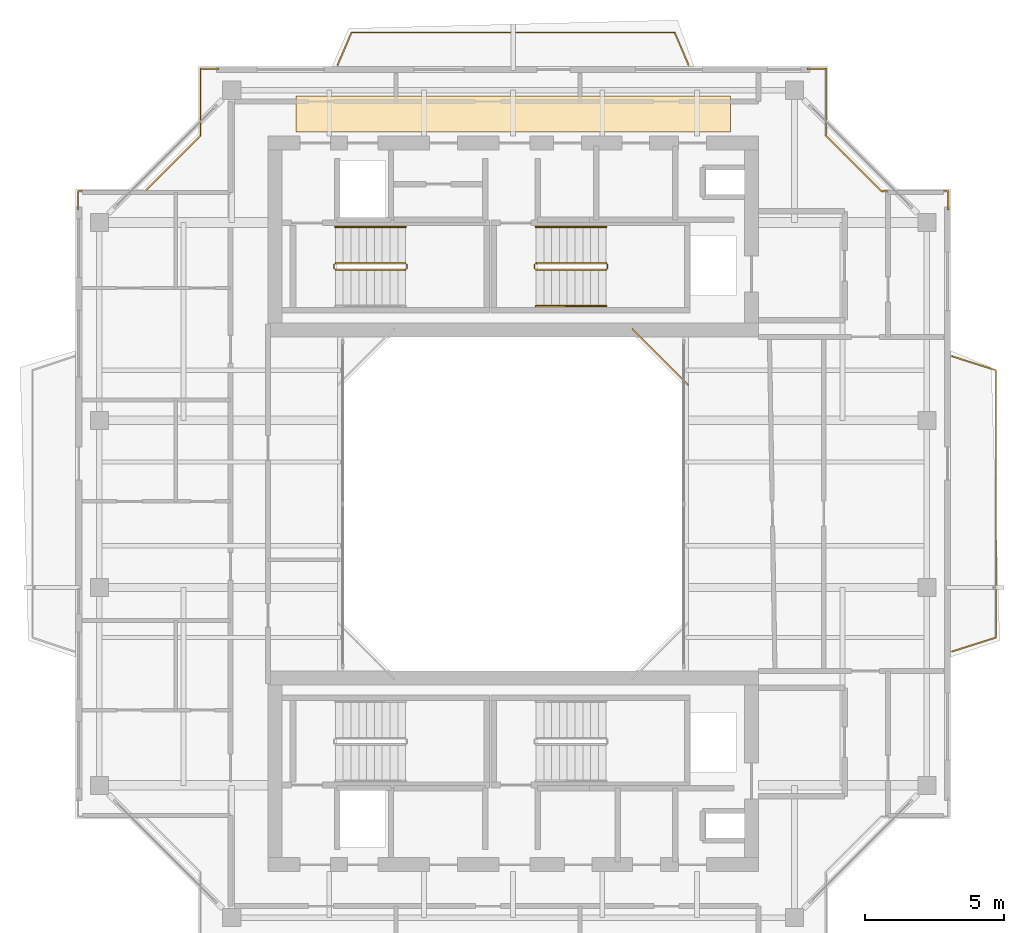
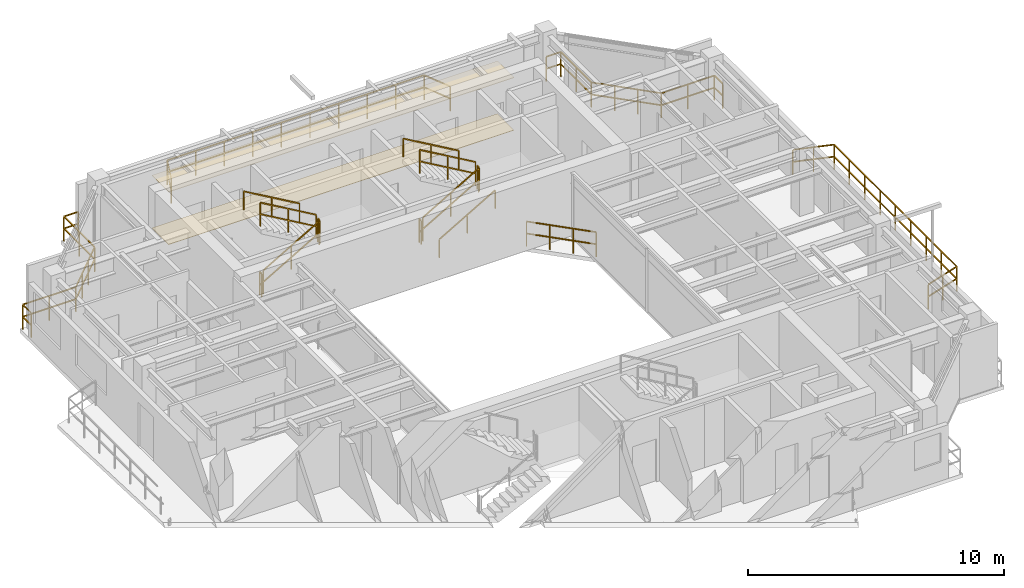
# One storey, part 14 of 14: 16 railings, 2 coverings.
"""IFC4 building model written with IfcOpenShell, lengths in metres."""

from ifc_helpers import new_model, si_unit, direction, frame, origin, origin_2d, place, context, subcontext, project, spatial, polyline, rectangle, outline, extrude, material, layer, layer_set, type_object, element, save


model = new_model("IFC4")

# Units and contexts
model_context = context("Model", 3, precision=1e-05, world=origin(), true_north=direction((0.0, 1.0)))
body_context = subcontext(model_context, "Body", "Model", "MODEL_VIEW")
ifc_project = project(units=[si_unit("LENGTHUNIT", "METRE"), si_unit("AREAUNIT", "SQUARE_METRE"), si_unit("VOLUMEUNIT", "CUBIC_METRE"), si_unit("PLANEANGLEUNIT", "RADIAN"), si_unit("MASSUNIT", "GRAM", prefix="KILO"), si_unit("THERMODYNAMICTEMPERATUREUNIT", "KELVIN"), si_unit("POWERUNIT", "WATT")], contexts=[model_context])

# Site, building, storey
site_placement = place(None, origin())
site = spatial("IfcSite", under=ifc_project, at=site_placement, CompositionType="ELEMENT")
building_placement = place(site_placement, origin())
building = spatial("IfcBuilding", under=site, at=building_placement, Name="Qiaomeng Ring Towers", CompositionType="ELEMENT")
storey_placement = place(building_placement, frame((0.0, 0.0, 260.0)))
storey = spatial("IfcBuildingStorey", under=building, at=storey_placement, Name="L76", CompositionType="ELEMENT", Elevation=260.0)

# Coverings
ifc_material_1 = material(Name="Mineral fibre acoustic ceiling tile", Category="gypsum")
ifc_layer_1 = layer(ifc_material_1, 0.02490234375, Name="Mineral fibre acoustic ceiling tile")
ifc_layer_set_1 = layer_set([ifc_layer_1], Name="Mineral fibre acoustic ceiling tile")
covering_type_1 = type_object("IfcCoveringType", Name="ARC-COV-CEIL1", PredefinedType="CEILING", material=ifc_layer_set_1)
covering_1_placement = place(storey_placement, frame((0.0, 0.0, 2.510009765625)))
element("IfcCovering", 1, at=covering_1_placement, inside=storey, type_object=covering_type_1, Name="L76 Corridor Acoustic Ceiling", PredefinedType="CEILING", context=body_context, shape_type="SweptSolid", body=[
    extrude(outline(polyline([(11.199951171875, 36.35009765625), (11.199951171875, 37.64990234375), (26.800048828125, 37.64990234375), (26.800048828125, 36.35009765625), (11.199951171875, 36.35009765625)])), origin(), (0.0, 0.0, 1.0), 0.02490234375),
])
ifc_material_2 = material(Name="Vitrified porcelain floor tile", Category="ceramic")
ifc_layer_2 = layer(ifc_material_2, 0.02001953125, Name="Vitrified porcelain floor tile")
ifc_layer_set_2 = layer_set([ifc_layer_2], Name="Vitrified porcelain floor tile")
covering_type_2 = type_object("IfcCoveringType", Name="ARC-COV-FLR1", PredefinedType="FLOORING", material=ifc_layer_set_2)
covering_2_placement = place(storey_placement, origin())
element("IfcCovering", 2, at=covering_2_placement, inside=storey, type_object=covering_type_2, Name="L76 Corridor Stone Flooring", PredefinedType="FLOORING", context=body_context, shape_type="SweptSolid", body=[
    extrude(outline(polyline([(11.199951171875, 36.35009765625), (11.199951171875, 37.64990234375), (26.800048828125, 37.64990234375), (26.800048828125, 36.35009765625), (11.199951171875, 36.35009765625)])), origin(), (0.0, 0.0, 1.0), 0.02001953125),
])

# Railings
ifc_material_3 = material(Name="Low-E pale-green laminated safety glass", Category="glass")
railing_type_1 = type_object("IfcRailingType", Name="ARC-RL-BAL1", PredefinedType="BALUSTRADE", material=ifc_material_3)
railing_1_placement = place(storey_placement, frame((25.280029296875, 27.280029296875, 0.0)))
element("IfcRailing", 3, at=railing_1_placement, inside=storey, type_object=railing_type_1, Name="L76 Balustrade ARC-BAL-WELL1-L76-2", PredefinedType="BALUSTRADE", context=body_context, shape_type="SweptSolid", body=[
    extrude(rectangle(XDim=0.048095703125, YDim=0.048095703125, at=origin_2d()), frame((0.0, 0.0, 1.17578125), z_axis=(-0.707106781187, 0.707106781187, 0.0), x_axis=(-0.707106781187, -0.707106781187, 0.0)), (0.0, 0.0, 1.0), 2.828369140625),
    extrude(rectangle(XDim=0.048095703125, YDim=0.048095703125, at=origin_2d()), frame((0.0, 0.0, 0.60009765625), z_axis=(-0.707106781187, 0.707106781187, 0.0), x_axis=(-0.707106781187, -0.707106781187, 0.0)), (0.0, 0.0, 1.0), 2.828369140625),
    extrude(rectangle(XDim=0.0419921875, YDim=0.0419921875, at=origin_2d()), origin(), (0.0, 0.0, 1.0), 1.15185546875),
    extrude(rectangle(XDim=0.0419921875, YDim=0.0419921875, at=origin_2d()), frame((-0.666748046875, 0.666748046875, 0.0)), (0.0, 0.0, 1.0), 1.15185546875),
    extrude(rectangle(XDim=0.0419921875, YDim=0.0419921875, at=origin_2d()), frame((-1.333251953125, 1.333251953125, 0.0)), (0.0, 0.0, 1.0), 1.15185546875),
    extrude(rectangle(XDim=0.0419921875, YDim=0.0419921875, at=origin_2d()), frame((-2.0, 2.0, 0.0)), (0.0, 0.0, 1.0), 1.15185546875),
])
railing_2_placement = place(storey_placement, frame((34.6201171875, 33.570068359375, 0.0)))
element("IfcRailing", 4, at=railing_2_placement, inside=storey, type_object=railing_type_1, Name="L76 Balustrade ARC-BAL-NOTCH1-L76-NE", PredefinedType="BALUSTRADE", context=body_context, shape_type="SweptSolid", body=[
    extrude(rectangle(XDim=0.048095703125, YDim=0.048095703125, at=origin_2d()), frame((0.0, 0.0, 1.17578125), z_axis=(0.0, 1.0, 0.0), x_axis=(-1.0, 0.0, 0.0)), (0.0, 0.0, 1.0), 0.64990234375),
    extrude(rectangle(XDim=0.048095703125, YDim=0.048095703125, at=origin_2d()), frame((0.0, 0.0, 0.60009765625), z_axis=(0.0, 1.0, 0.0), x_axis=(-1.0, 0.0, 0.0)), (0.0, 0.0, 1.0), 0.64990234375),
    extrude(rectangle(XDim=0.048095703125, YDim=0.048095703125, at=origin_2d()), frame((0.0, 0.64990234375, 1.17578125), z_axis=(-1.0, 0.0, 0.0), x_axis=(0.0, -1.0, 0.0)), (0.0, 0.0, 1.0), 2.400146484375),
    extrude(rectangle(XDim=0.048095703125, YDim=0.048095703125, at=origin_2d()), frame((0.0, 0.64990234375, 0.60009765625), z_axis=(-1.0, 0.0, 0.0), x_axis=(0.0, -1.0, 0.0)), (0.0, 0.0, 1.0), 2.400146484375),
    extrude(rectangle(XDim=0.048095703125, YDim=0.048095703125, at=origin_2d()), frame((-2.400146484375, 0.64990234375, 1.17578125), z_axis=(-0.707106781187, 0.707106781187, 0.0), x_axis=(-0.707106781187, -0.707106781187, 0.0)), (0.0, 0.0, 1.0), 2.828369140625),
    extrude(rectangle(XDim=0.048095703125, YDim=0.048095703125, at=origin_2d()), frame((-2.400146484375, 0.64990234375, 0.60009765625), z_axis=(-0.707106781187, 0.707106781187, 0.0), x_axis=(-0.707106781187, -0.707106781187, 0.0)), (0.0, 0.0, 1.0), 2.828369140625),
    extrude(rectangle(XDim=0.048095703125, YDim=0.048095703125, at=origin_2d()), frame((-4.400146484375, 2.64990234375, 1.17578125), z_axis=(0.0, 1.0, 0.0), x_axis=(-1.0, 0.0, 0.0)), (0.0, 0.0, 1.0), 2.400146484375),
    extrude(rectangle(XDim=0.048095703125, YDim=0.048095703125, at=origin_2d()), frame((-4.400146484375, 2.64990234375, 0.60009765625), z_axis=(0.0, 1.0, 0.0), x_axis=(-1.0, 0.0, 0.0)), (0.0, 0.0, 1.0), 2.400146484375),
    extrude(rectangle(XDim=0.048095703125, YDim=0.048095703125, at=origin_2d()), frame((-4.400146484375, 5.050048828125, 1.17578125), z_axis=(-1.0, 0.0, 0.0), x_axis=(0.0, -1.0, 0.0)), (0.0, 0.0, 1.0), 0.64990234375),
    extrude(rectangle(XDim=0.048095703125, YDim=0.048095703125, at=origin_2d()), frame((-4.400146484375, 5.050048828125, 0.60009765625), z_axis=(-1.0, 0.0, 0.0), x_axis=(0.0, -1.0, 0.0)), (0.0, 0.0, 1.0), 0.64990234375),
    extrude(rectangle(XDim=0.0419921875, YDim=0.0419921875, at=origin_2d()), origin(), (0.0, 0.0, 1.0), 1.15185546875),
    extrude(rectangle(XDim=0.0419921875, YDim=0.0419921875, at=origin_2d()), frame((0.0, 0.64990234375, 0.0)), (0.0, 0.0, 1.0), 1.15185546875),
    extrude(rectangle(XDim=0.0419921875, YDim=0.0419921875, at=origin_2d()), frame((-1.2001953125, 0.64990234375, 0.0)), (0.0, 0.0, 1.0), 1.15185546875),
    extrude(rectangle(XDim=0.0419921875, YDim=0.0419921875, at=origin_2d()), frame((-2.400146484375, 0.64990234375, 0.0)), (0.0, 0.0, 1.0), 1.15185546875),
    extrude(rectangle(XDim=0.0419921875, YDim=0.0419921875, at=origin_2d()), frame((-3.06689453125, 1.316650390625, 0.0)), (0.0, 0.0, 1.0), 1.15185546875),
    extrude(rectangle(XDim=0.0419921875, YDim=0.0419921875, at=origin_2d()), frame((-3.7333984375, 1.983154296875, 0.0)), (0.0, 0.0, 1.0), 1.15185546875),
    extrude(rectangle(XDim=0.0419921875, YDim=0.0419921875, at=origin_2d()), frame((-4.400146484375, 2.64990234375, 0.0)), (0.0, 0.0, 1.0), 1.15185546875),
    extrude(rectangle(XDim=0.0419921875, YDim=0.0419921875, at=origin_2d()), frame((-4.400146484375, 3.85009765625, 0.0)), (0.0, 0.0, 1.0), 1.15185546875),
    extrude(rectangle(XDim=0.0419921875, YDim=0.0419921875, at=origin_2d()), frame((-4.400146484375, 5.050048828125, 0.0)), (0.0, 0.0, 1.0), 1.15185546875),
    extrude(rectangle(XDim=0.0419921875, YDim=0.0419921875, at=origin_2d()), frame((-5.050048828125, 5.050048828125, 0.0)), (0.0, 0.0, 1.0), 1.15185546875),
])
railing_3_placement = place(storey_placement, frame((8.429931640625, 38.6201171875, 0.0)))
element("IfcRailing", 5, at=railing_3_placement, inside=storey, type_object=railing_type_1, Name="L76 Balustrade ARC-BAL-NOTCH1-L76-NW", PredefinedType="BALUSTRADE", context=body_context, shape_type="SweptSolid", body=[
    extrude(rectangle(XDim=0.048095703125, YDim=0.048095703125, at=origin_2d()), frame((0.0, 0.0, 1.17578125), z_axis=(-1.0, 0.0, 0.0), x_axis=(0.0, -1.0, 0.0)), (0.0, 0.0, 1.0), 0.64990234375),
    extrude(rectangle(XDim=0.048095703125, YDim=0.048095703125, at=origin_2d()), frame((0.0, 0.0, 0.60009765625), z_axis=(-1.0, 0.0, 0.0), x_axis=(0.0, -1.0, 0.0)), (0.0, 0.0, 1.0), 0.64990234375),
    extrude(rectangle(XDim=0.048095703125, YDim=0.048095703125, at=origin_2d()), frame((-0.64990234375, 0.0, 1.17578125), z_axis=(0.0, -1.0, 0.0), x_axis=(1.0, 0.0, 0.0)), (0.0, 0.0, 1.0), 2.400146484375),
    extrude(rectangle(XDim=0.048095703125, YDim=0.048095703125, at=origin_2d()), frame((-0.64990234375, 0.0, 0.60009765625), z_axis=(0.0, -1.0, 0.0), x_axis=(1.0, 0.0, 0.0)), (0.0, 0.0, 1.0), 2.400146484375),
    extrude(rectangle(XDim=0.048095703125, YDim=0.048095703125, at=origin_2d()), frame((-0.64990234375, -2.400146484375, 1.17578125), z_axis=(-0.707106781187, -0.707106781187, 0.0), x_axis=(0.707106781187, -0.707106781187, 0.0)), (0.0, 0.0, 1.0), 2.828369140625),
    extrude(rectangle(XDim=0.048095703125, YDim=0.048095703125, at=origin_2d()), frame((-0.64990234375, -2.400146484375, 0.60009765625), z_axis=(-0.707106781187, -0.707106781187, 0.0), x_axis=(0.707106781187, -0.707106781187, 0.0)), (0.0, 0.0, 1.0), 2.828369140625),
    extrude(rectangle(XDim=0.048095703125, YDim=0.048095703125, at=origin_2d()), frame((-2.64990234375, -4.400146484375, 1.17578125), z_axis=(-1.0, 0.0, 0.0), x_axis=(0.0, -1.0, 0.0)), (0.0, 0.0, 1.0), 2.400146484375),
    extrude(rectangle(XDim=0.048095703125, YDim=0.048095703125, at=origin_2d()), frame((-2.64990234375, -4.400146484375, 0.60009765625), z_axis=(-1.0, 0.0, 0.0), x_axis=(0.0, -1.0, 0.0)), (0.0, 0.0, 1.0), 2.400146484375),
    extrude(rectangle(XDim=0.048095703125, YDim=0.048095703125, at=origin_2d()), frame((-5.050048828125, -4.400146484375, 1.17578125), z_axis=(0.0, -1.0, 0.0), x_axis=(1.0, 0.0, 0.0)), (0.0, 0.0, 1.0), 0.64990234375),
    extrude(rectangle(XDim=0.048095703125, YDim=0.048095703125, at=origin_2d()), frame((-5.050048828125, -4.400146484375, 0.60009765625), z_axis=(0.0, -1.0, 0.0), x_axis=(1.0, 0.0, 0.0)), (0.0, 0.0, 1.0), 0.64990234375),
    extrude(rectangle(XDim=0.0419921875, YDim=0.0419921875, at=origin_2d()), origin(), (0.0, 0.0, 1.0), 1.15185546875),
    extrude(rectangle(XDim=0.0419921875, YDim=0.0419921875, at=origin_2d()), frame((-0.64990234375, 0.0, 0.0)), (0.0, 0.0, 1.0), 1.15185546875),
    extrude(rectangle(XDim=0.0419921875, YDim=0.0419921875, at=origin_2d()), frame((-0.64990234375, -1.2001953125, 0.0)), (0.0, 0.0, 1.0), 1.15185546875),
    extrude(rectangle(XDim=0.0419921875, YDim=0.0419921875, at=origin_2d()), frame((-0.64990234375, -2.400146484375, 0.0)), (0.0, 0.0, 1.0), 1.15185546875),
    extrude(rectangle(XDim=0.0419921875, YDim=0.0419921875, at=origin_2d()), frame((-1.316650390625, -3.06689453125, 0.0)), (0.0, 0.0, 1.0), 1.15185546875),
    extrude(rectangle(XDim=0.0419921875, YDim=0.0419921875, at=origin_2d()), frame((-1.983154296875, -3.7333984375, 0.0)), (0.0, 0.0, 1.0), 1.15185546875),
    extrude(rectangle(XDim=0.0419921875, YDim=0.0419921875, at=origin_2d()), frame((-2.64990234375, -4.400146484375, 0.0)), (0.0, 0.0, 1.0), 1.15185546875),
    extrude(rectangle(XDim=0.0419921875, YDim=0.0419921875, at=origin_2d()), frame((-3.85009765625, -4.400146484375, 0.0)), (0.0, 0.0, 1.0), 1.15185546875),
    extrude(rectangle(XDim=0.0419921875, YDim=0.0419921875, at=origin_2d()), frame((-5.050048828125, -4.400146484375, 0.0)), (0.0, 0.0, 1.0), 1.15185546875),
    extrude(rectangle(XDim=0.0419921875, YDim=0.0419921875, at=origin_2d()), frame((-5.050048828125, -5.050048828125, 0.0)), (0.0, 0.0, 1.0), 1.15185546875),
])
railing_4_placement = place(storey_placement, frame((34.75, 17.699951171875, 0.0)))
element("IfcRailing", 6, at=railing_4_placement, inside=storey, type_object=railing_type_1, Name="L76 Balustrade ARC-BAL-L76-T1-E", PredefinedType="BALUSTRADE", context=body_context, shape_type="SweptSolid", body=[
    extrude(rectangle(XDim=0.048095703125, YDim=0.048095703125, at=origin_2d()), frame((0.0, 0.0, 1.17578125), z_axis=(0.952849860715, 0.303442157479, 0.0), x_axis=(-0.303442157479, 0.952849860715, 0.0)), (0.0, 0.0, 1.0), 1.647705078125),
    extrude(rectangle(XDim=0.048095703125, YDim=0.048095703125, at=origin_2d()), frame((0.0, 0.0, 0.60009765625), z_axis=(0.952849860715, 0.303442157479, 0.0), x_axis=(-0.303442157479, 0.952849860715, 0.0)), (0.0, 0.0, 1.0), 1.647705078125),
    extrude(rectangle(XDim=0.048095703125, YDim=0.048095703125, at=origin_2d()), frame((1.570068359375, 0.5, 1.17578125), z_axis=(0.0, 1.0, 0.0), x_axis=(-1.0, 0.0, 0.0)), (0.0, 0.0, 1.0), 9.60009765625),
    extrude(rectangle(XDim=0.048095703125, YDim=0.048095703125, at=origin_2d()), frame((1.570068359375, 0.5, 0.60009765625), z_axis=(0.0, 1.0, 0.0), x_axis=(-1.0, 0.0, 0.0)), (0.0, 0.0, 1.0), 9.60009765625),
    extrude(rectangle(XDim=0.048095703125, YDim=0.048095703125, at=origin_2d()), frame((1.570068359375, 10.10009765625, 1.17578125), z_axis=(-0.952849860715, 0.303442157479, 0.0), x_axis=(-0.303442157479, -0.952849860715, 0.0)), (0.0, 0.0, 1.0), 1.647705078125),
    extrude(rectangle(XDim=0.048095703125, YDim=0.048095703125, at=origin_2d()), frame((1.570068359375, 10.10009765625, 0.60009765625), z_axis=(-0.952849860715, 0.303442157479, 0.0), x_axis=(-0.303442157479, -0.952849860715, 0.0)), (0.0, 0.0, 1.0), 1.647705078125),
    extrude(rectangle(XDim=0.0419921875, YDim=0.0419921875, at=origin_2d()), origin(), (0.0, 0.0, 1.0), 1.15185546875),
    extrude(rectangle(XDim=0.0419921875, YDim=0.0419921875, at=origin_2d()), frame((0.78515625, 0.25, 0.0)), (0.0, 0.0, 1.0), 1.15185546875),
    extrude(rectangle(XDim=0.0419921875, YDim=0.0419921875, at=origin_2d()), frame((1.570068359375, 0.5, 0.0)), (0.0, 0.0, 1.0), 1.15185546875),
    extrude(rectangle(XDim=0.0419921875, YDim=0.0419921875, at=origin_2d()), frame((1.570068359375, 1.699951171875, 0.0)), (0.0, 0.0, 1.0), 1.15185546875),
    extrude(rectangle(XDim=0.0419921875, YDim=0.0419921875, at=origin_2d()), frame((1.570068359375, 2.89990234375, 0.0)), (0.0, 0.0, 1.0), 1.15185546875),
    extrude(rectangle(XDim=0.0419921875, YDim=0.0419921875, at=origin_2d()), frame((1.570068359375, 4.10009765625, 0.0)), (0.0, 0.0, 1.0), 1.15185546875),
    extrude(rectangle(XDim=0.0419921875, YDim=0.0419921875, at=origin_2d()), frame((1.570068359375, 5.300048828125, 0.0)), (0.0, 0.0, 1.0), 1.15185546875),
    extrude(rectangle(XDim=0.0419921875, YDim=0.0419921875, at=origin_2d()), frame((1.570068359375, 6.5, 0.0)), (0.0, 0.0, 1.0), 1.15185546875),
    extrude(rectangle(XDim=0.0419921875, YDim=0.0419921875, at=origin_2d()), frame((1.570068359375, 7.7001953125, 0.0)), (0.0, 0.0, 1.0), 1.15185546875),
    extrude(rectangle(XDim=0.0419921875, YDim=0.0419921875, at=origin_2d()), frame((1.570068359375, 8.900146484375, 0.0)), (0.0, 0.0, 1.0), 1.15185546875),
    extrude(rectangle(XDim=0.0419921875, YDim=0.0419921875, at=origin_2d()), frame((1.570068359375, 10.10009765625, 0.0)), (0.0, 0.0, 1.0), 1.15185546875),
    extrude(rectangle(XDim=0.0419921875, YDim=0.0419921875, at=origin_2d()), frame((0.78515625, 10.35009765625, 0.0)), (0.0, 0.0, 1.0), 1.15185546875),
    extrude(rectangle(XDim=0.0419921875, YDim=0.0419921875, at=origin_2d()), frame((0.0, 10.60009765625, 0.0)), (0.0, 0.0, 1.0), 1.15185546875),
])
railing_5_placement = place(storey_placement, frame((12.699951171875, 38.75, 0.0)))
element("IfcRailing", 7, at=railing_5_placement, inside=storey, type_object=railing_type_1, Name="L76 Balustrade ARC-BAL-L76-T1-N", PredefinedType="BALUSTRADE", context=body_context, shape_type="SweptSolid", body=[
    extrude(rectangle(XDim=0.048095703125, YDim=0.048095703125, at=origin_2d()), frame((0.0, 0.0, 1.17578125), z_axis=(0.39299272826, 0.919541579014, 0.0), x_axis=(-0.919541579014, 0.39299272826, 0.0)), (0.0, 0.0, 1.0), 1.272216796875),
    extrude(rectangle(XDim=0.048095703125, YDim=0.048095703125, at=origin_2d()), frame((0.0, 0.0, 0.60009765625), z_axis=(0.39299272826, 0.919541579014, 0.0), x_axis=(-0.919541579014, 0.39299272826, 0.0)), (0.0, 0.0, 1.0), 1.272216796875),
    extrude(rectangle(XDim=0.048095703125, YDim=0.048095703125, at=origin_2d()), frame((0.5, 1.169921875, 1.17578125), z_axis=(1.0, 0.0, 0.0), x_axis=(0.0, 1.0, 0.0)), (0.0, 0.0, 1.0), 11.60009765625),
    extrude(rectangle(XDim=0.048095703125, YDim=0.048095703125, at=origin_2d()), frame((0.5, 1.169921875, 0.60009765625), z_axis=(1.0, 0.0, 0.0), x_axis=(0.0, 1.0, 0.0)), (0.0, 0.0, 1.0), 11.60009765625),
    extrude(rectangle(XDim=0.048095703125, YDim=0.048095703125, at=origin_2d()), frame((12.10009765625, 1.169921875, 1.17578125), z_axis=(0.39299272826, -0.919541579014, 0.0), x_axis=(0.919541579014, 0.39299272826, 0.0)), (0.0, 0.0, 1.0), 1.272216796875),
    extrude(rectangle(XDim=0.048095703125, YDim=0.048095703125, at=origin_2d()), frame((12.10009765625, 1.169921875, 0.60009765625), z_axis=(0.39299272826, -0.919541579014, 0.0), x_axis=(0.919541579014, 0.39299272826, 0.0)), (0.0, 0.0, 1.0), 1.272216796875),
    extrude(rectangle(XDim=0.0419921875, YDim=0.0419921875, at=origin_2d()), origin(), (0.0, 0.0, 1.0), 1.15185546875),
    extrude(rectangle(XDim=0.0419921875, YDim=0.0419921875, at=origin_2d()), frame((0.5, 1.169921875, 0.0)), (0.0, 0.0, 1.0), 1.15185546875),
    extrude(rectangle(XDim=0.0419921875, YDim=0.0419921875, at=origin_2d()), frame((1.788818359375, 1.169921875, 0.0)), (0.0, 0.0, 1.0), 1.15185546875),
    extrude(rectangle(XDim=0.0419921875, YDim=0.0419921875, at=origin_2d()), frame((3.077880859375, 1.169921875, 0.0)), (0.0, 0.0, 1.0), 1.15185546875),
    extrude(rectangle(XDim=0.0419921875, YDim=0.0419921875, at=origin_2d()), frame((4.36669921875, 1.169921875, 0.0)), (0.0, 0.0, 1.0), 1.15185546875),
    extrude(rectangle(XDim=0.0419921875, YDim=0.0419921875, at=origin_2d()), frame((5.655517578125, 1.169921875, 0.0)), (0.0, 0.0, 1.0), 1.15185546875),
    extrude(rectangle(XDim=0.0419921875, YDim=0.0419921875, at=origin_2d()), frame((6.944580078125, 1.169921875, 0.0)), (0.0, 0.0, 1.0), 1.15185546875),
    extrude(rectangle(XDim=0.0419921875, YDim=0.0419921875, at=origin_2d()), frame((8.2333984375, 1.169921875, 0.0)), (0.0, 0.0, 1.0), 1.15185546875),
    extrude(rectangle(XDim=0.0419921875, YDim=0.0419921875, at=origin_2d()), frame((9.522216796875, 1.169921875, 0.0)), (0.0, 0.0, 1.0), 1.15185546875),
    extrude(rectangle(XDim=0.0419921875, YDim=0.0419921875, at=origin_2d()), frame((10.811279296875, 1.169921875, 0.0)), (0.0, 0.0, 1.0), 1.15185546875),
    extrude(rectangle(XDim=0.0419921875, YDim=0.0419921875, at=origin_2d()), frame((12.10009765625, 1.169921875, 0.0)), (0.0, 0.0, 1.0), 1.15185546875),
    extrude(rectangle(XDim=0.0419921875, YDim=0.0419921875, at=origin_2d()), frame((12.60009765625, 0.0, 0.0)), (0.0, 0.0, 1.0), 1.15185546875),
])
ifc_material_4 = material(Name="Galvanised steel", Category="steel")
railing_type_2 = type_object("IfcRailingType", Name="ARC-RL-GUARD", PredefinedType="GUARDRAIL", material=ifc_material_4)
railing_6_placement = place(storey_placement, frame((12.6201171875, 31.39990234375, 0.16259765625)))
element("IfcRailing", 8, at=railing_6_placement, inside=storey, type_object=railing_type_2, Name="L76 ST1 stair guard 1", PredefinedType="GUARDRAIL", context=body_context, shape_type="SweptSolid", body=[
    extrude(rectangle(XDim=0.048095703125, YDim=0.048095703125, at=origin_2d()), frame((0.0, 0.0, 1.1259765625), z_axis=(0.864892226395, 0.0, 0.501957604506), x_axis=(0.0, 1.0, 0.0)), (0.0, 0.0, 1.0), 2.913330078125),
    extrude(rectangle(XDim=0.048095703125, YDim=0.048095703125, at=origin_2d()), frame((0.0, 0.0, 0.574951171875), z_axis=(0.864892226395, 0.0, 0.501957604506), x_axis=(0.0, 1.0, 0.0)), (0.0, 0.0, 1.0), 2.913330078125),
    extrude(rectangle(XDim=0.0419921875, YDim=0.0419921875, at=origin_2d()), origin(), (0.0, 0.0, 1.0), 1.101806640625),
    extrude(rectangle(XDim=0.0419921875, YDim=0.0419921875, at=origin_2d()), frame((1.259765625, 0.0, 0.731201171875)), (0.0, 0.0, 1.0), 1.101806640625),
    extrude(rectangle(XDim=0.0419921875, YDim=0.0419921875, at=origin_2d()), frame((2.519775390625, 0.0, 1.46240234375)), (0.0, 0.0, 1.0), 1.101806640625),
])
railing_7_placement = place(storey_placement, frame((15.18994140625, 31.449951171875, 1.625)))
element("IfcRailing", 9, at=railing_7_placement, inside=storey, type_object=railing_type_2, Name="L76 ST1 stair guard 2", PredefinedType="GUARDRAIL", context=body_context, shape_type="SweptSolid", body=[
    extrude(rectangle(XDim=0.048095703125, YDim=0.048095703125, at=origin_2d()), frame((0.0, 0.0, 1.1259765625), z_axis=(0.0, 1.0, 0.0), x_axis=(-1.0, 0.0, 0.0)), (0.0, 0.0, 1.0), 0.14013671875),
    extrude(rectangle(XDim=0.048095703125, YDim=0.048095703125, at=origin_2d()), frame((0.0, 0.0, 0.574951171875), z_axis=(0.0, 1.0, 0.0), x_axis=(-1.0, 0.0, 0.0)), (0.0, 0.0, 1.0), 0.14013671875),
    extrude(rectangle(XDim=0.0419921875, YDim=0.0419921875, at=origin_2d()), origin(), (0.0, 0.0, 1.0), 1.101806640625),
    extrude(rectangle(XDim=0.0419921875, YDim=0.0419921875, at=origin_2d()), frame((0.0, 0.14013671875, 0.0)), (0.0, 0.0, 1.0), 1.101806640625),
])
railing_8_placement = place(storey_placement, frame((15.139892578125, 31.639892578125, 1.78759765625)))
element("IfcRailing", 10, at=railing_8_placement, inside=storey, type_object=railing_type_2, Name="L76 ST1 stair guard 3", PredefinedType="GUARDRAIL", context=body_context, shape_type="SweptSolid", body=[
    extrude(rectangle(XDim=0.048095703125, YDim=0.048095703125, at=origin_2d()), frame((0.0, 0.0, 1.1259765625), z_axis=(-0.864892226395, 0.0, 0.501957604506), x_axis=(0.0, -1.0, 0.0)), (0.0, 0.0, 1.0), 2.913330078125),
    extrude(rectangle(XDim=0.048095703125, YDim=0.048095703125, at=origin_2d()), frame((0.0, 0.0, 0.574951171875), z_axis=(-0.864892226395, 0.0, 0.501957604506), x_axis=(0.0, -1.0, 0.0)), (0.0, 0.0, 1.0), 2.913330078125),
    extrude(rectangle(XDim=0.0419921875, YDim=0.0419921875, at=origin_2d()), origin(), (0.0, 0.0, 1.0), 1.101806640625),
    extrude(rectangle(XDim=0.0419921875, YDim=0.0419921875, at=origin_2d()), frame((-1.259765625, 0.0, 0.731201171875)), (0.0, 0.0, 1.0), 1.101806640625),
    extrude(rectangle(XDim=0.0419921875, YDim=0.0419921875, at=origin_2d()), frame((-2.519775390625, 0.0, 1.46240234375)), (0.0, 0.0, 1.0), 1.101806640625),
])
railing_9_placement = place(storey_placement, frame((12.570068359375, 31.449951171875, 0.0)))
element("IfcRailing", 11, at=railing_9_placement, inside=storey, type_object=railing_type_2, Name="L76 ST1 stair guard 4", PredefinedType="GUARDRAIL", context=body_context, shape_type="SweptSolid", body=[
    extrude(rectangle(XDim=0.048095703125, YDim=0.048095703125, at=origin_2d()), frame((0.0, 0.0, 1.1259765625), z_axis=(0.0, 1.0, 0.0), x_axis=(-1.0, 0.0, 0.0)), (0.0, 0.0, 1.0), 0.14013671875),
    extrude(rectangle(XDim=0.048095703125, YDim=0.048095703125, at=origin_2d()), frame((0.0, 0.0, 0.574951171875), z_axis=(0.0, 1.0, 0.0), x_axis=(-1.0, 0.0, 0.0)), (0.0, 0.0, 1.0), 0.14013671875),
    extrude(rectangle(XDim=0.0419921875, YDim=0.0419921875, at=origin_2d()), origin(), (0.0, 0.0, 1.0), 1.101806640625),
    extrude(rectangle(XDim=0.0419921875, YDim=0.0419921875, at=origin_2d()), frame((0.0, 0.14013671875, 0.0)), (0.0, 0.0, 1.0), 1.101806640625),
])
railing_10_placement = place(storey_placement, frame((19.820068359375, 31.39990234375, 0.16259765625)))
element("IfcRailing", 12, at=railing_10_placement, inside=storey, type_object=railing_type_2, Name="L76 ST2 stair guard 1", PredefinedType="GUARDRAIL", context=body_context, shape_type="SweptSolid", body=[
    extrude(rectangle(XDim=0.048095703125, YDim=0.048095703125, at=origin_2d()), frame((0.0, 0.0, 1.1259765625), z_axis=(0.864913338283, 0.0, 0.50192122615), x_axis=(0.0, 1.0, 0.0)), (0.0, 0.0, 1.0), 2.91357421875),
    extrude(rectangle(XDim=0.048095703125, YDim=0.048095703125, at=origin_2d()), frame((0.0, 0.0, 0.574951171875), z_axis=(0.864913338283, 0.0, 0.50192122615), x_axis=(0.0, 1.0, 0.0)), (0.0, 0.0, 1.0), 2.91357421875),
    extrude(rectangle(XDim=0.0419921875, YDim=0.0419921875, at=origin_2d()), origin(), (0.0, 0.0, 1.0), 1.101806640625),
    extrude(rectangle(XDim=0.0419921875, YDim=0.0419921875, at=origin_2d()), frame((1.260009765625, 0.0, 0.731201171875)), (0.0, 0.0, 1.0), 1.101806640625),
    extrude(rectangle(XDim=0.0419921875, YDim=0.0419921875, at=origin_2d()), frame((2.52001953125, 0.0, 1.46240234375)), (0.0, 0.0, 1.0), 1.101806640625),
])
railing_11_placement = place(storey_placement, frame((22.389892578125, 31.449951171875, 1.625)))
element("IfcRailing", 13, at=railing_11_placement, inside=storey, type_object=railing_type_2, Name="L76 ST2 stair guard 2", PredefinedType="GUARDRAIL", context=body_context, shape_type="SweptSolid", body=[
    extrude(rectangle(XDim=0.048095703125, YDim=0.048095703125, at=origin_2d()), frame((0.0, 0.0, 1.1259765625), z_axis=(0.0, 1.0, 0.0), x_axis=(-1.0, 0.0, 0.0)), (0.0, 0.0, 1.0), 0.14013671875),
    extrude(rectangle(XDim=0.048095703125, YDim=0.048095703125, at=origin_2d()), frame((0.0, 0.0, 0.574951171875), z_axis=(0.0, 1.0, 0.0), x_axis=(-1.0, 0.0, 0.0)), (0.0, 0.0, 1.0), 0.14013671875),
    extrude(rectangle(XDim=0.0419921875, YDim=0.0419921875, at=origin_2d()), origin(), (0.0, 0.0, 1.0), 1.101806640625),
    extrude(rectangle(XDim=0.0419921875, YDim=0.0419921875, at=origin_2d()), frame((0.0, 0.14013671875, 0.0)), (0.0, 0.0, 1.0), 1.101806640625),
])
railing_12_placement = place(storey_placement, frame((22.340087890625, 31.639892578125, 1.78759765625)))
element("IfcRailing", 14, at=railing_12_placement, inside=storey, type_object=railing_type_2, Name="L76 ST2 stair guard 3", PredefinedType="GUARDRAIL", context=body_context, shape_type="SweptSolid", body=[
    extrude(rectangle(XDim=0.048095703125, YDim=0.048095703125, at=origin_2d()), frame((0.0, 0.0, 1.1259765625), z_axis=(-0.864913338283, 0.0, 0.50192122615), x_axis=(0.0, -1.0, 0.0)), (0.0, 0.0, 1.0), 2.91357421875),
    extrude(rectangle(XDim=0.048095703125, YDim=0.048095703125, at=origin_2d()), frame((0.0, 0.0, 0.574951171875), z_axis=(-0.864913338283, 0.0, 0.50192122615), x_axis=(0.0, -1.0, 0.0)), (0.0, 0.0, 1.0), 2.91357421875),
    extrude(rectangle(XDim=0.0419921875, YDim=0.0419921875, at=origin_2d()), origin(), (0.0, 0.0, 1.0), 1.101806640625),
    extrude(rectangle(XDim=0.0419921875, YDim=0.0419921875, at=origin_2d()), frame((-1.260009765625, 0.0, 0.731201171875)), (0.0, 0.0, 1.0), 1.101806640625),
    extrude(rectangle(XDim=0.0419921875, YDim=0.0419921875, at=origin_2d()), frame((-2.52001953125, 0.0, 1.46240234375)), (0.0, 0.0, 1.0), 1.101806640625),
])
railing_13_placement = place(storey_placement, frame((19.77001953125, 31.449951171875, 0.0)))
element("IfcRailing", 15, at=railing_13_placement, inside=storey, type_object=railing_type_2, Name="L76 ST2 stair guard 4", PredefinedType="GUARDRAIL", context=body_context, shape_type="SweptSolid", body=[
    extrude(rectangle(XDim=0.048095703125, YDim=0.048095703125, at=origin_2d()), frame((0.0, 0.0, 1.1259765625), z_axis=(0.0, 1.0, 0.0), x_axis=(-1.0, 0.0, 0.0)), (0.0, 0.0, 1.0), 0.14013671875),
    extrude(rectangle(XDim=0.048095703125, YDim=0.048095703125, at=origin_2d()), frame((0.0, 0.0, 0.574951171875), z_axis=(0.0, 1.0, 0.0), x_axis=(-1.0, 0.0, 0.0)), (0.0, 0.0, 1.0), 0.14013671875),
    extrude(rectangle(XDim=0.0419921875, YDim=0.0419921875, at=origin_2d()), origin(), (0.0, 0.0, 1.0), 1.101806640625),
    extrude(rectangle(XDim=0.0419921875, YDim=0.0419921875, at=origin_2d()), frame((0.0, 0.14013671875, 0.0)), (0.0, 0.0, 1.0), 1.101806640625),
])
ifc_material_5 = material(Name="Stainless steel 316", Category="steel")
railing_type_3 = type_object("IfcRailingType", Name="ARC-RL-HAND", PredefinedType="HANDRAIL", material=ifc_material_5)
railing_14_placement = place(storey_placement, frame((15.139892578125, 32.93994140625, 1.78759765625)))
element("IfcRailing", 16, at=railing_14_placement, inside=storey, type_object=railing_type_3, Name="L76 ST1 stair handrail 2", PredefinedType="HANDRAIL", context=body_context, shape_type="SweptSolid", body=[
    extrude(rectangle(XDim=0.048095703125, YDim=0.048095703125, at=origin_2d()), frame((0.0, 0.0, 0.8759765625), z_axis=(-0.864892226395, 0.0, 0.501957604506), x_axis=(0.0, -1.0, 0.0)), (0.0, 0.0, 1.0), 2.913330078125),
    extrude(rectangle(XDim=0.0419921875, YDim=0.0419921875, at=origin_2d()), origin(), (0.0, 0.0, 1.0), 0.851806640625),
    extrude(rectangle(XDim=0.0419921875, YDim=0.0419921875, at=origin_2d()), frame((-1.259765625, 0.0, 0.731201171875)), (0.0, 0.0, 1.0), 0.851806640625),
    extrude(rectangle(XDim=0.0419921875, YDim=0.0419921875, at=origin_2d()), frame((-2.519775390625, 0.0, 1.46240234375)), (0.0, 0.0, 1.0), 0.851806640625),
])
railing_15_placement = place(storey_placement, frame((19.820068359375, 30.10009765625, 0.16259765625)))
element("IfcRailing", 17, at=railing_15_placement, inside=storey, type_object=railing_type_3, Name="L76 ST2 stair handrail 1", PredefinedType="HANDRAIL", context=body_context, shape_type="SweptSolid", body=[
    extrude(rectangle(XDim=0.048095703125, YDim=0.048095703125, at=origin_2d()), frame((0.0, 0.0, 0.8759765625), z_axis=(0.864913338283, 0.0, 0.50192122615), x_axis=(0.0, 1.0, 0.0)), (0.0, 0.0, 1.0), 2.91357421875),
    extrude(rectangle(XDim=0.0419921875, YDim=0.0419921875, at=origin_2d()), origin(), (0.0, 0.0, 1.0), 0.851806640625),
    extrude(rectangle(XDim=0.0419921875, YDim=0.0419921875, at=origin_2d()), frame((1.260009765625, 0.0, 0.731201171875)), (0.0, 0.0, 1.0), 0.851806640625),
    extrude(rectangle(XDim=0.0419921875, YDim=0.0419921875, at=origin_2d()), frame((2.52001953125, 0.0, 1.46240234375)), (0.0, 0.0, 1.0), 0.851806640625),
])
railing_16_placement = place(storey_placement, frame((22.340087890625, 32.93994140625, 1.78759765625)))
element("IfcRailing", 18, at=railing_16_placement, inside=storey, type_object=railing_type_3, Name="L76 ST2 stair handrail 2", PredefinedType="HANDRAIL", context=body_context, shape_type="SweptSolid", body=[
    extrude(rectangle(XDim=0.048095703125, YDim=0.048095703125, at=origin_2d()), frame((0.0, 0.0, 0.8759765625), z_axis=(-0.864913338283, 0.0, 0.50192122615), x_axis=(0.0, -1.0, 0.0)), (0.0, 0.0, 1.0), 2.91357421875),
    extrude(rectangle(XDim=0.0419921875, YDim=0.0419921875, at=origin_2d()), origin(), (0.0, 0.0, 1.0), 0.851806640625),
    extrude(rectangle(XDim=0.0419921875, YDim=0.0419921875, at=origin_2d()), frame((-1.260009765625, 0.0, 0.731201171875)), (0.0, 0.0, 1.0), 0.851806640625),
    extrude(rectangle(XDim=0.0419921875, YDim=0.0419921875, at=origin_2d()), frame((-2.52001953125, 0.0, 1.46240234375)), (0.0, 0.0, 1.0), 0.851806640625),
])

save(model, "model.ifc")
